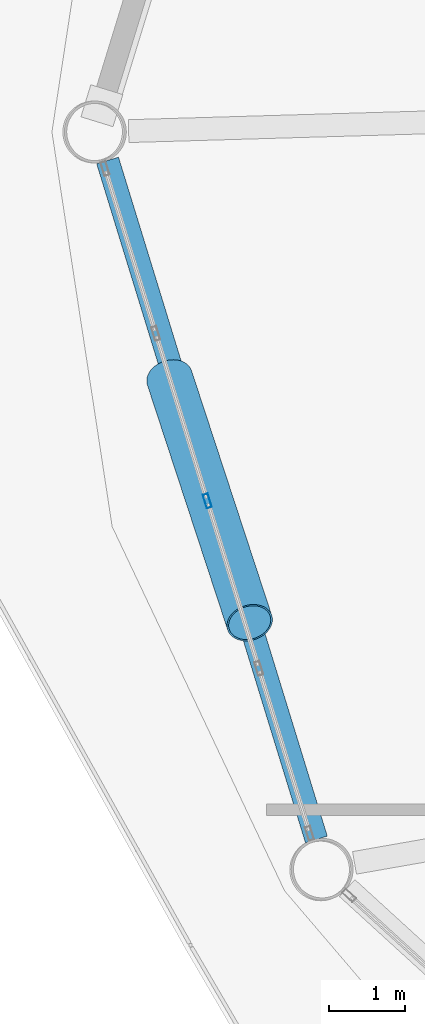
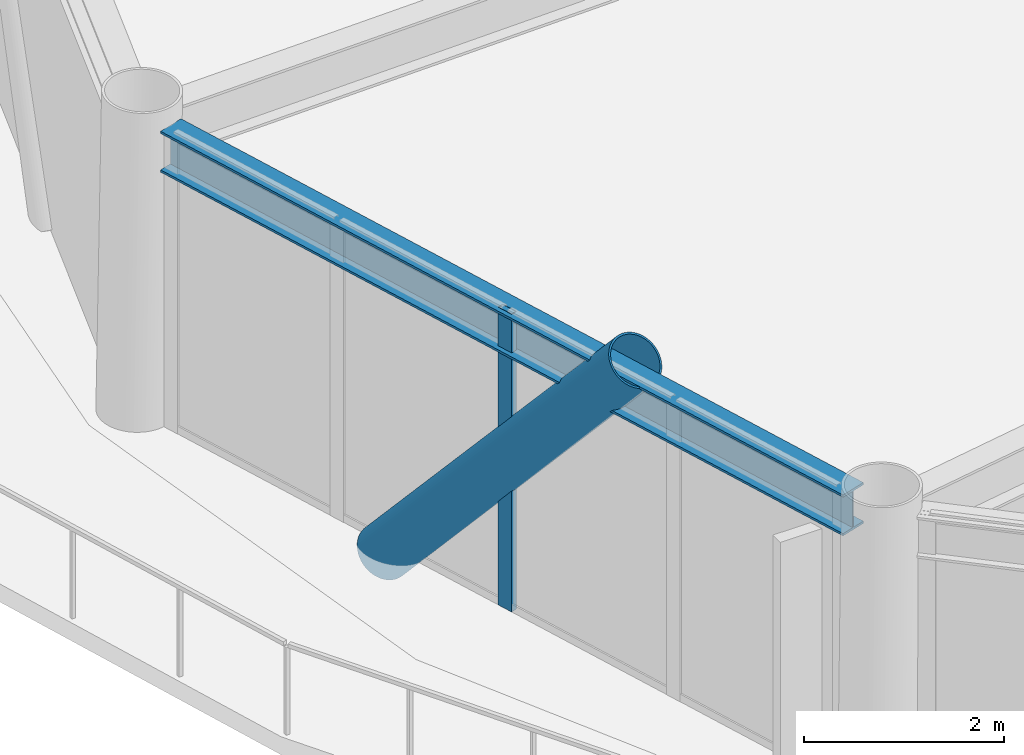
# One storey, part 3 of 23: 2 members, 1 beam, 1 element without a shape of its own.
"""IFC4 building model written with IfcOpenShell, lengths in metres."""

from ifc_helpers import new_model, si_unit, direction, frame, origin, origin_2d, place, context, subcontext, project, spatial, hollow_rectangle, hollow_circle, i_section, extrude, material, layer, layer_set, material_profile, profile_set, type_object, element, aggregate, save


model = new_model("IFC4")

# Units and contexts
model_context = context("Model", 3, precision=1e-05, world=origin(), true_north=direction((0.0, 1.0)))
body_context = subcontext(model_context, "Body", "Model", "MODEL_VIEW")
ifc_project = project(units=[si_unit("LENGTHUNIT", "METRE"), si_unit("AREAUNIT", "SQUARE_METRE"), si_unit("VOLUMEUNIT", "CUBIC_METRE"), si_unit("PLANEANGLEUNIT", "RADIAN"), si_unit("MASSUNIT", "GRAM", prefix="KILO")], contexts=[model_context])

# Site, building, storey
site_placement = place(None, origin())
site = spatial("IfcSite", under=ifc_project, at=site_placement, CompositionType="ELEMENT")
building_placement = place(site_placement, origin())
building = spatial("IfcBuilding", under=site, at=building_placement, Name="Varnakorn Sky Granary", CompositionType="ELEMENT")
storey_placement = place(building_placement, frame((0.0, 0.0, 114.89990234375)))
storey = spatial("IfcBuildingStorey", under=building, at=storey_placement, Name="L28", CompositionType="ELEMENT", Elevation=114.89990234375)

# Beam
ifc_material_1 = material(Name="Steel S355JR", Category="steel")
ifc_material_profile_1 = material_profile(ifc_material_1, i_section(OverallWidth=0.300048828125, OverallDepth=0.5, WebThickness=0.014404296875, FlangeThickness=0.028076171875, at=origin_2d()), Name="HE 500 B")
ifc_profile_set_1 = profile_set([ifc_material_profile_1], Name="Steel S355JR")
beam_type = type_object("IfcBeamType", Name="BM-SPD-Z2", PredefinedType="SPANDREL", material=ifc_profile_set_1)
beam_placement = place(storey_placement, frame((-22.701904296875, -0.374267578125, 3.39013671875), z_axis=(0.293942430688, -0.955823125605, 0.0), x_axis=(0.955823125605, 0.293942430688, 0.0)))
element("IfcBeam", 1, at=beam_placement, inside=storey, type_object=beam_type, Name="Perimeter Spandrel Ring Beam RB07 L28", PredefinedType="SPANDREL", context=body_context, shape_type="SweptSolid", body=[
    extrude(i_section(OverallWidth=0.300048828125, OverallDepth=0.5, WebThickness=0.014404296875, FlangeThickness=0.028076171875, at=origin_2d()), origin(), (0.0, 0.0, 1.0), 9.33056640625),
])

# Curtain wall, member
ifc_material_2 = material(Name="Anodised Bronze Aluminium Alloy 6063-T6", Category="aluminium")
ifc_layer = layer(ifc_material_2, 0.179931640625, Name="Anodised Bronze Aluminium Alloy 6063-T6")
ifc_layer_set = layer_set([ifc_layer], Name="Anodised Bronze Aluminium Alloy 6063-T6")
curtain_wall_type = type_object("IfcCurtainWallType", Name="CW-FRM-2", PredefinedType="USERDEFINED", material=ifc_layer_set)
curtain_wall_placement = place(storey_placement, origin())
curtain_wall = element("IfcCurtainWall", 2, at=curtain_wall_placement, inside=storey, type_object=curtain_wall_type, Name="Unitised Curtain Wall CW4 CW-L28-B07", ObjectType="CURTAIN WALL", PredefinedType="USERDEFINED")
ifc_material_profile_2 = material_profile(ifc_material_2, hollow_rectangle(XDim=0.070068359375, YDim=0.18505859375, WallThickness=0.00390625, at=origin_2d()), Name="ALU MULL 70x185")
ifc_profile_set_2 = profile_set([ifc_material_profile_2], Name="Anodised Bronze Aluminium Alloy 6063-T6")
member_type_1 = type_object("IfcMemberType", Name="CW-FRM-2-MULL", PredefinedType="MULLION", material=ifc_profile_set_2)
member_1_placement = place(storey_placement, frame((-21.39208984375, -4.845458984375, 0.0), z_axis=(0.0, 0.0, 1.0), x_axis=(-0.955783470906, -0.294071346349, 0.0)))
member_1 = element("IfcMember", 3, at=member_1_placement, type_object=member_type_1, Name="CW4 mullion 3", PredefinedType="MULLION", context=body_context, shape_type="SweptSolid", body=[
    extrude(hollow_rectangle(XDim=0.070068359375, YDim=0.18505859375, WallThickness=0.00390625, at=origin_2d()), origin(), (0.0, 0.0, 1.0), 3.64013671875),
])
aggregate(curtain_wall, [member_1])

# Member
ifc_material_3 = material(Name="Steel S460M", Category="steel")
ifc_material_profile_3 = material_profile(ifc_material_3, hollow_circle(Radius=0.304931640625, WallThickness=0.022216796875, at=origin_2d()), Name="CHS 610x22")
ifc_profile_set_3 = profile_set([ifc_material_profile_3], Name="Steel S460M")
member_type_2 = type_object("IfcMemberType", Name="MB-DIAG-T1", PredefinedType="BRACE", material=ifc_profile_set_3)
member_2_placement = place(storey_placement, frame((-21.88916015625, -3.230224609375, -0.1298828125), z_axis=(0.203556186087, -0.620806288168, 0.757076239012), x_axis=(0.950223586259, 0.311568830463, 0.0)))
element("IfcMember", 4, at=member_2_placement, inside=storey, type_object=member_type_2, Name="Perimeter CHS Diagrid Brace DG07 L28", PredefinedType="BRACE", context=body_context, shape_type="SweptSolid", body=[
    extrude(hollow_circle(Radius=0.304931640625, WallThickness=0.022216796875, at=origin_2d()), origin(), (0.0, 0.0, 1.0), 5.177734375),
])

save(model, "model.ifc")
